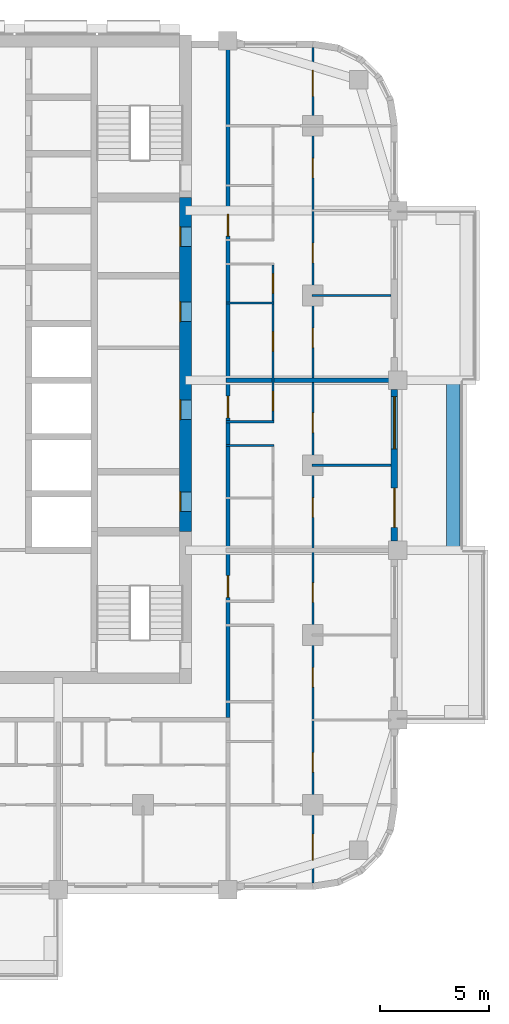
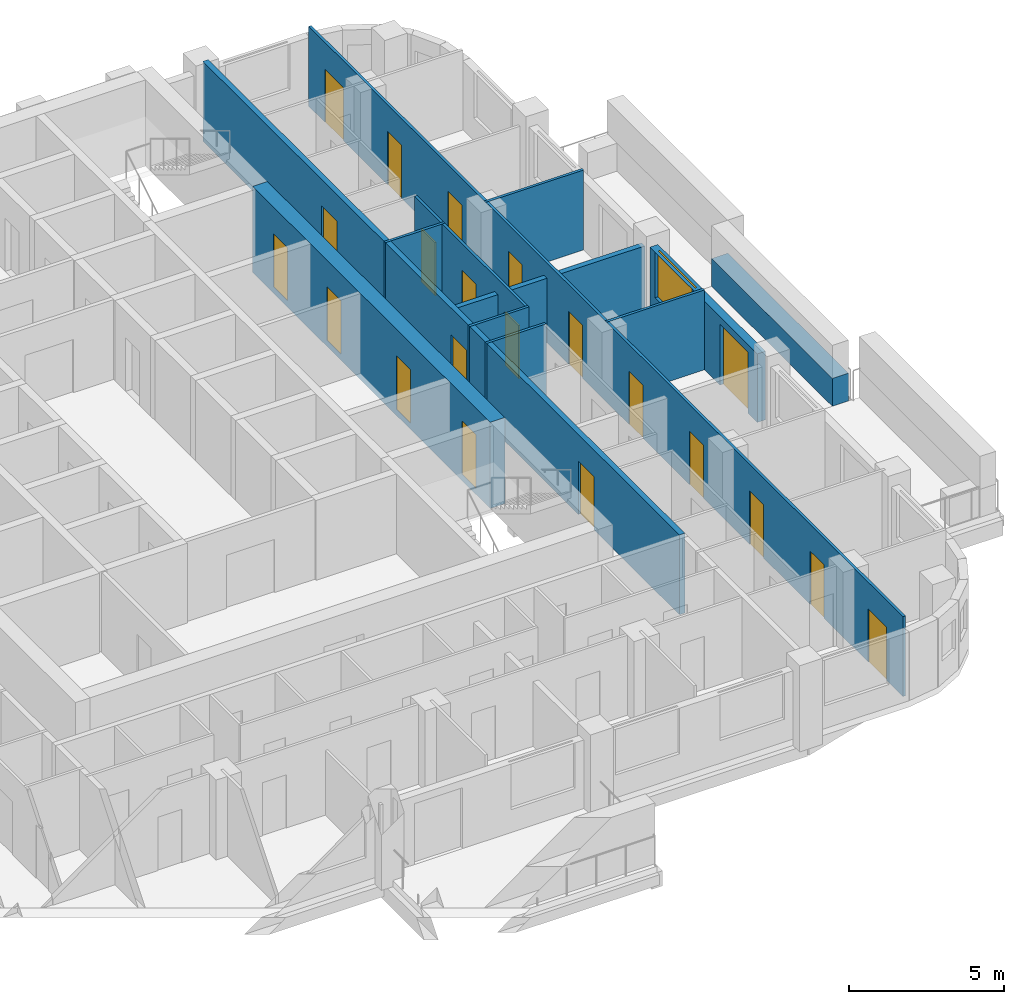
# One storey, part 7 of 14: 21 doors, 12 walls, 1 window, 22 openings.
"""IFC4 building model written with IfcOpenShell, lengths in metres."""

from ifc_helpers import new_model, si_unit, direction, frame, frame_2d, origin, place, context, subcontext, project, spatial, rectangle, extrude, material, layer, layer_set, type_object, element, fill, save


model = new_model("IFC4")

# Units and contexts
model_context = context("Model", 3, precision=1e-05, world=origin(), true_north=direction((0.0, 1.0)))
body_context = subcontext(model_context, "Body", "Model", "MODEL_VIEW")
ifc_project = project(units=[si_unit("LENGTHUNIT", "METRE"), si_unit("AREAUNIT", "SQUARE_METRE"), si_unit("VOLUMEUNIT", "CUBIC_METRE"), si_unit("PLANEANGLEUNIT", "RADIAN"), si_unit("MASSUNIT", "GRAM", prefix="KILO")], contexts=[model_context])

# Site, building, storey
site_placement = place(None, origin())
site = spatial("IfcSite", under=ifc_project, at=site_placement, CompositionType="ELEMENT")
building_placement = place(site_placement, origin())
building = spatial("IfcBuilding", under=site, at=building_placement, Name="Ludao Terraces", CompositionType="ELEMENT")
storey_placement = place(building_placement, frame((0.0, 0.0, 106.699951171875)))
storey = spatial("IfcBuildingStorey", under=building, at=storey_placement, Name="L29", CompositionType="ELEMENT", Elevation=106.699951171875)

# Wall, openings, doors
ifc_material_1 = material(Name="Concrete C60", Category="concrete")
ifc_layer_1 = layer(ifc_material_1, 0.550048828125)
ifc_layer_set_1 = layer_set([ifc_layer_1], Name="Core wall 550 C60")
wall_type_1 = type_object("IfcWallType", Name="Core wall 550 C60", PredefinedType="SOLIDWALL", material=ifc_layer_set_1)
wall_1_placement = place(storey_placement, frame((94.75, 61.949951171875, -0.25), z_axis=(0.0, 0.0, 1.0), x_axis=(0.0, 1.0, 0.0)))
wall_1 = element("IfcWall", 1, at=wall_1_placement, inside=storey, type_object=wall_type_1, Name="Core wall L29 outer-E", PredefinedType="SOLIDWALL", context=body_context, shape_type="SweptSolid", body=[
    extrude(rectangle(XDim=15.35009765625, YDim=0.550048828125, at=frame_2d((7.675048828125, 0.0))), origin(), (0.0, 0.0, 1.0), 3.400146484375),
])
opening_1_placement = place(wall_1_placement, frame((0.925048828125, 0.0, 0.25)))
opening_1 = element("IfcOpeningElement", 2, at=opening_1_placement, cuts=wall_1, Name="Opening R08-049", PredefinedType="OPENING", context=body_context, shape_type="SweptSolid", body=[
    extrude(rectangle(XDim=0.89990234375, YDim=2.10009765625, at=frame_2d((0.449951171875, 1.050048828125))), frame((0.0, 0.28515625, 0.0), z_axis=(0.0, -1.0, 0.0), x_axis=(1.0, 0.0, 0.0)), (0.0, 0.0, 1.0), 0.570068359375),
])
opening_2_placement = place(wall_1_placement, frame((5.14990234375, 0.0, 0.25)))
opening_2 = element("IfcOpeningElement", 3, at=opening_2_placement, cuts=wall_1, Name="Opening R08-057", PredefinedType="OPENING", context=body_context, shape_type="SweptSolid", body=[
    extrude(rectangle(XDim=0.89990234375, YDim=2.10009765625, at=frame_2d((0.449951171875, 1.050048828125))), frame((0.0, 0.28515625, 0.0), z_axis=(0.0, -1.0, 0.0), x_axis=(1.0, 0.0, 0.0)), (0.0, 0.0, 1.0), 0.570068359375),
])
opening_3_placement = place(wall_1_placement, frame((9.64990234375, 0.0, 0.25)))
opening_3 = element("IfcOpeningElement", 4, at=opening_3_placement, cuts=wall_1, Name="Opening R08-067", PredefinedType="OPENING", context=body_context, shape_type="SweptSolid", body=[
    extrude(rectangle(XDim=0.89990234375, YDim=2.10009765625, at=frame_2d((0.449951171875, 1.050048828125))), frame((0.0, 0.28515625, 0.0), z_axis=(0.0, -1.0, 0.0), x_axis=(1.0, 0.0, 0.0)), (0.0, 0.0, 1.0), 0.570068359375),
])
opening_4_placement = place(wall_1_placement, frame((13.10009765625, 0.0, 0.25)))
opening_4 = element("IfcOpeningElement", 5, at=opening_4_placement, cuts=wall_1, Name="Opening R08-081", PredefinedType="OPENING", context=body_context, shape_type="SweptSolid", body=[
    extrude(rectangle(XDim=0.89990234375, YDim=2.10009765625, at=frame_2d((0.449951171875, 1.050048828125))), frame((0.0, 0.28515625, 0.0), z_axis=(0.0, -1.0, 0.0), x_axis=(1.0, 0.0, 0.0)), (0.0, 0.0, 1.0), 0.570068359375),
])
ifc_material_2 = material(Name="Steel Q235", Category="steel")
door_type_1 = type_object("IfcDoorType", Name="INT Riser door 900", OperationType="SINGLE_SWING_LEFT", PredefinedType="DOOR", material=ifc_material_2)
door_1_placement = place(opening_1_placement, origin())
door_1 = element("IfcDoor", 6, at=door_1_placement, inside=storey, type_object=door_type_1, Name="DOOR 049", OperationType="SINGLE_SWING_LEFT", OverallHeight=2.10009765625, OverallWidth=0.89990234375, PredefinedType="DOOR", context=body_context, shape_type="SweptSolid", body=[
    extrude(rectangle(XDim=0.89990234375, YDim=2.10009765625, at=frame_2d((0.449951171875, 1.050048828125))), frame((0.0, 0.26025390625, 0.0), z_axis=(0.0, -1.0, 0.0), x_axis=(1.0, 0.0, 0.0)), (0.0, 0.0, 1.0), 0.050048828125),
])
fill(opening_1, door_1)
door_2_placement = place(opening_4_placement, origin())
door_2 = element("IfcDoor", 7, at=door_2_placement, inside=storey, type_object=door_type_1, Name="DOOR 081", OperationType="SINGLE_SWING_RIGHT", OverallHeight=2.10009765625, OverallWidth=0.89990234375, PredefinedType="DOOR", context=body_context, shape_type="SweptSolid", body=[
    extrude(rectangle(XDim=0.89990234375, YDim=2.10009765625, at=frame_2d((0.449951171875, 1.050048828125))), frame((0.0, 0.26025390625, 0.0), z_axis=(0.0, -1.0, 0.0), x_axis=(1.0, 0.0, 0.0)), (0.0, 0.0, 1.0), 0.050048828125),
])
fill(opening_4, door_2)
ifc_material_3 = material(Name="Timber door leaf", Category="wood")
door_type_2 = type_object("IfcDoorType", Name="INT Room door 900", OperationType="SINGLE_SWING_LEFT", PredefinedType="DOOR", material=ifc_material_3)
door_3_placement = place(opening_2_placement, origin())
door_3 = element("IfcDoor", 8, at=door_3_placement, inside=storey, type_object=door_type_2, Name="DOOR 057", OperationType="SINGLE_SWING_LEFT", OverallHeight=2.10009765625, OverallWidth=0.89990234375, PredefinedType="DOOR", context=body_context, shape_type="SweptSolid", body=[
    extrude(rectangle(XDim=0.89990234375, YDim=2.10009765625, at=frame_2d((0.449951171875, 1.050048828125))), frame((0.0, 0.26025390625, 0.0), z_axis=(0.0, -1.0, 0.0), x_axis=(1.0, 0.0, 0.0)), (0.0, 0.0, 1.0), 0.050048828125),
])
fill(opening_2, door_3)
door_4_placement = place(opening_3_placement, origin())
door_4 = element("IfcDoor", 9, at=door_4_placement, inside=storey, type_object=door_type_2, Name="DOOR 067", OperationType="SINGLE_SWING_RIGHT", OverallHeight=2.10009765625, OverallWidth=0.89990234375, PredefinedType="DOOR", context=body_context, shape_type="SweptSolid", body=[
    extrude(rectangle(XDim=0.89990234375, YDim=2.10009765625, at=frame_2d((0.449951171875, 1.050048828125))), frame((0.0, 0.26025390625, 0.0), z_axis=(0.0, -1.0, 0.0), x_axis=(1.0, 0.0, 0.0)), (0.0, 0.0, 1.0), 0.050048828125),
])
fill(opening_3, door_4)

# Wall
ifc_material_4 = material(Name="Concrete C40", Category="concrete")
ifc_layer_2 = layer(ifc_material_4, 0.60009765625)
ifc_layer_set_2 = layer_set([ifc_layer_2], Name="ENV Planter trough 600")
wall_type_2 = type_object("IfcWallType", Name="ENV Planter trough 600", PredefinedType="USERDEFINED", material=ifc_layer_set_2)
wall_2_placement = place(storey_placement, frame((107.050048828125, 61.10009765625, 0.0), z_axis=(0.0, 0.0, 1.0), x_axis=(0.0, 1.0, 0.0)))
element("IfcWall", 10, at=wall_2_placement, inside=storey, type_object=wall_type_2, Name="PL-L29-E2", ObjectType="PLANTER", PredefinedType="USERDEFINED", context=body_context, shape_type="SweptSolid", body=[
    extrude(rectangle(XDim=7.7998046875, YDim=0.60009765625, at=frame_2d((3.89990234375, 0.0))), origin(), (0.0, 0.0, 1.0), 1.10009765625),
])

# Wall, openings, door, window
ifc_material_5 = material(Name="Granite cladding", Category="masonry")
ifc_layer_3 = layer(ifc_material_5, 0.0400390625, Category="stone")
ifc_material_6 = material(Name="Mineral wool")
ifc_layer_4 = layer(ifc_material_6, 0.06005859375)
ifc_layer_5 = layer(ifc_material_4, 0.199951171875, Category="concrete")
ifc_layer_set_3 = layer_set([ifc_layer_3, ifc_layer_4, ifc_layer_5], Name="ENV Stone-clad wall 300")
wall_type_3 = type_object("IfcWallType", Name="ENV Stone-clad wall 300", PredefinedType="SOLIDWALL", material=ifc_layer_set_3)
wall_3_placement = place(storey_placement, frame((104.35009765625, 61.52490234375, 0.0), z_axis=(0.0, 0.0, 1.0), x_axis=(0.0, 1.0, 0.0)))
wall_3 = element("IfcWall", 11, at=wall_3_placement, inside=storey, type_object=wall_type_3, Name="EW-L29-E3", PredefinedType="SOLIDWALL", context=body_context, shape_type="SweptSolid", body=[
    extrude(rectangle(XDim=6.9501953125, YDim=0.300048828125, at=frame_2d((3.47509765625, 0.0))), origin(), (0.0, 0.0, 1.0), 2.699951171875),
])
opening_5_placement = place(wall_3_placement, frame((0.625, 0.0, 0.0)))
opening_5 = element("IfcOpeningElement", 12, at=opening_5_placement, cuts=wall_3, Name="Opening BD", PredefinedType="OPENING", context=body_context, shape_type="SweptSolid", body=[
    extrude(rectangle(XDim=1.800048828125, YDim=2.39990234375, at=frame_2d((0.89990234375, 1.199951171875))), frame((0.0, 0.16015625, 0.0), z_axis=(0.0, -1.0, 0.0), x_axis=(1.0, 0.0, 0.0)), (0.0, 0.0, 1.0), 0.320068359375),
])
opening_6_placement = place(wall_3_placement, frame((4.22509765625, 0.0, 0.89990234375)))
opening_6 = element("IfcOpeningElement", 13, at=opening_6_placement, cuts=wall_3, Name="Opening W1", PredefinedType="OPENING", context=body_context, shape_type="SweptSolid", body=[
    extrude(rectangle(XDim=2.39990234375, YDim=1.800048828125, at=frame_2d((1.199951171875, 0.89990234375))), frame((0.0, 0.16015625, 0.0), z_axis=(0.0, -1.0, 0.0), x_axis=(1.0, 0.0, 0.0)), (0.0, 0.0, 1.0), 0.320068359375),
])
ifc_material_7 = material(Name="Aluminium glazed door", Category="aluminium")
ifc_layer_6 = layer(ifc_material_7, 0.06005859375)
ifc_layer_set_4 = layer_set([ifc_layer_6], Name="ENV Balcony door BD 1800x2400")
door_type_3 = type_object("IfcDoorType", Name="ENV Balcony door BD 1800x2400", OperationType="DOUBLE_DOOR_SINGLE_SWING", PredefinedType="DOOR", material=ifc_layer_set_4)
door_5_placement = place(opening_5_placement, origin())
door_5 = element("IfcDoor", 14, at=door_5_placement, inside=storey, type_object=door_type_3, Name="BD-L29-E3-1", OperationType="DOUBLE_DOOR_SINGLE_SWING", OverallHeight=2.39990234375, OverallWidth=1.800048828125, PredefinedType="DOOR", context=body_context, shape_type="SweptSolid", body=[
    extrude(rectangle(XDim=1.800048828125, YDim=2.39990234375, at=frame_2d((0.89990234375, 1.199951171875))), frame((0.0, 0.02490234375, 0.0), z_axis=(0.0, -1.0, 0.0), x_axis=(1.0, 0.0, 0.0)), (0.0, 0.0, 1.0), 0.050048828125),
])
fill(opening_5, door_5)
ifc_material_8 = material(Name="Clear glass in aluminium frame", Category="aluminium")
ifc_layer_7 = layer(ifc_material_8, 0.06005859375)
ifc_layer_set_5 = layer_set([ifc_layer_7], Name="ENV Window W1 2400x1800")
window_type = type_object("IfcWindowType", Name="ENV Window W1 2400x1800", PartitioningType="DOUBLE_PANEL_VERTICAL", PredefinedType="WINDOW", material=ifc_layer_set_5)
window_placement = place(opening_6_placement, origin())
window = element("IfcWindow", 15, at=window_placement, inside=storey, type_object=window_type, Name="W-L29-E3-2", OverallHeight=1.800048828125, OverallWidth=2.39990234375, PartitioningType="DOUBLE_PANEL_VERTICAL", PredefinedType="WINDOW", context=body_context, shape_type="SweptSolid", body=[
    extrude(rectangle(XDim=2.39990234375, YDim=1.800048828125, at=frame_2d((1.199951171875, 0.89990234375))), frame((0.0, 0.030029296875, 0.0), z_axis=(0.0, -1.0, 0.0), x_axis=(1.0, 0.0, 0.0)), (0.0, 0.0, 1.0), 0.06005859375),
])
fill(opening_6, window)

# Wall, openings, doors
ifc_material_9 = material(Name="Autoclaved aerated concrete block B06 A3.5", Category="concrete")
ifc_layer_8 = layer(ifc_material_9, 0.199951171875)
ifc_layer_set_6 = layer_set([ifc_layer_8], Name="INT Entrance wall 200")
wall_type_4 = type_object("IfcWallType", Name="INT Entrance wall 200", PredefinedType="PARTITIONING", material=ifc_layer_set_6)
wall_4_placement = place(storey_placement, frame((96.699951171875, 53.400146484375, 0.0), z_axis=(0.0, 0.0, 1.0), x_axis=(0.0, 1.0, 0.0)))
wall_4 = element("IfcWall", 16, at=wall_4_placement, inside=storey, type_object=wall_type_4, Name="PW-L29-PW072", PredefinedType="PARTITIONING", context=body_context, shape_type="SweptSolid", body=[
    extrude(rectangle(XDim=30.800048828125, YDim=0.199951171875, at=frame_2d((15.39990234375, 0.0))), origin(), (0.0, 0.0, 1.0), 3.150146484375),
])
opening_7_placement = place(wall_4_placement, frame((5.52490234375, 0.0, 0.0)))
opening_7 = element("IfcOpeningElement", 17, at=opening_7_placement, cuts=wall_4, Name="Opening R08-039", PredefinedType="OPENING", context=body_context, shape_type="SweptSolid", body=[
    extrude(rectangle(XDim=1.0, YDim=2.10009765625, at=frame_2d((0.5, 1.050048828125))), frame((0.0, 0.10986328125, 0.0), z_axis=(0.0, -1.0, 0.0), x_axis=(1.0, 0.0, 0.0)), (0.0, 0.0, 1.0), 0.219970703125),
])
opening_8_placement = place(wall_4_placement, frame((13.77490234375, 0.0, 0.0)))
opening_8 = element("IfcOpeningElement", 18, at=opening_8_placement, cuts=wall_4, Name="Opening R08-059", PredefinedType="OPENING", context=body_context, shape_type="SweptSolid", body=[
    extrude(rectangle(XDim=1.0, YDim=2.10009765625, at=frame_2d((0.5, 1.050048828125))), frame((0.0, 0.10986328125, 0.0), z_axis=(0.0, -1.0, 0.0), x_axis=(1.0, 0.0, 0.0)), (0.0, 0.0, 1.0), 0.219970703125),
])
opening_9_placement = place(wall_4_placement, frame((22.125, 0.0, 0.0)))
opening_9 = element("IfcOpeningElement", 19, at=opening_9_placement, cuts=wall_4, Name="Opening R08-082", PredefinedType="OPENING", context=body_context, shape_type="SweptSolid", body=[
    extrude(rectangle(XDim=1.0, YDim=2.10009765625, at=frame_2d((0.5, 1.050048828125))), frame((0.0, 0.10986328125, 0.0), z_axis=(0.0, -1.0, 0.0), x_axis=(1.0, 0.0, 0.0)), (0.0, 0.0, 1.0), 0.219970703125),
])
door_type_4 = type_object("IfcDoorType", Name="INT Flat entrance door 1000", OperationType="SINGLE_SWING_LEFT", PredefinedType="DOOR", material=ifc_material_2)
door_6_placement = place(opening_7_placement, origin())
door_6 = element("IfcDoor", 20, at=door_6_placement, inside=storey, type_object=door_type_4, Name="DOOR 039", OperationType="SINGLE_SWING_LEFT", OverallHeight=2.10009765625, OverallWidth=1.0, PredefinedType="DOOR", context=body_context, shape_type="SweptSolid", body=[
    extrude(rectangle(XDim=1.0, YDim=2.10009765625, at=frame_2d((0.5, 1.050048828125))), frame((0.0, 0.02490234375, 0.0), z_axis=(0.0, -1.0, 0.0), x_axis=(1.0, 0.0, 0.0)), (0.0, 0.0, 1.0), 0.050048828125),
])
fill(opening_7, door_6)
door_7_placement = place(opening_8_placement, origin())
door_7 = element("IfcDoor", 21, at=door_7_placement, inside=storey, type_object=door_type_4, Name="DOOR 059", OperationType="SINGLE_SWING_LEFT", OverallHeight=2.10009765625, OverallWidth=1.0, PredefinedType="DOOR", context=body_context, shape_type="SweptSolid", body=[
    extrude(rectangle(XDim=1.0, YDim=2.10009765625, at=frame_2d((0.5, 1.050048828125))), frame((0.0, 0.02490234375, 0.0), z_axis=(0.0, -1.0, 0.0), x_axis=(1.0, 0.0, 0.0)), (0.0, 0.0, 1.0), 0.050048828125),
])
fill(opening_8, door_7)
door_8_placement = place(opening_9_placement, origin())
door_8 = element("IfcDoor", 22, at=door_8_placement, inside=storey, type_object=door_type_4, Name="DOOR 082", OperationType="SINGLE_SWING_LEFT", OverallHeight=2.10009765625, OverallWidth=1.0, PredefinedType="DOOR", context=body_context, shape_type="SweptSolid", body=[
    extrude(rectangle(XDim=1.0, YDim=2.10009765625, at=frame_2d((0.5, 1.050048828125))), frame((0.0, 0.02490234375, 0.0), z_axis=(0.0, -1.0, 0.0), x_axis=(1.0, 0.0, 0.0)), (0.0, 0.0, 1.0), 0.050048828125),
])
fill(opening_9, door_8)

# Walls
ifc_material_10 = material(Name="Gypsum plasterboard", Category="gypsum")
ifc_layer_9 = layer(ifc_material_10, 0.012451171875, Category="gypsum")
ifc_layer_10 = layer(ifc_material_6, 0.06005859375, Name="insulation")
ifc_layer_11 = layer(ifc_material_2, 0.014892578125, Name="stud")
ifc_layer_12 = layer(ifc_material_10, 0.012451171875, Category="gypsum")
ifc_layer_set_7 = layer_set([ifc_layer_9, ifc_layer_10, ifc_layer_11, ifc_layer_12], Name="INT Partition 100")
wall_type_5 = type_object("IfcWallType", Name="INT Partition 100", PredefinedType="PARTITIONING", material=ifc_layer_set_7)
wall_5_placement = place(storey_placement, frame((100.550048828125, 65.0, 0.0), z_axis=(0.0, 0.0, 1.0), x_axis=(1.0, 0.0, 0.0)))
element("IfcWall", 23, at=wall_5_placement, inside=storey, type_object=wall_type_5, Name="PW-L29-PW024", PredefinedType="PARTITIONING", context=body_context, shape_type="SweptSolid", body=[
    extrude(rectangle(XDim=3.650146484375, YDim=0.10009765625, at=frame_2d((1.8251953125, 0.0))), origin(), (0.0, 0.0, 1.0), 3.150146484375),
])
for number, where, z_axis, x_axis, name in (
    (24, (96.60009765625, 65.89990234375, 0.0), (0.0, 0.0, 1.0), (1.0, 0.0, 0.0), "PW-L29-PW025"),
    (25, (96.60009765625, 67.0, 0.0), (0.0, 0.0, 1.0), (1.0, 0.0, 0.0), "PW-L29-PW026"),
    (26, (96.60009765625, 72.449951171875, 0.0), (0.0, 0.0, 1.0), (1.0, 0.0, 0.0), "PW-L29-PW035"),
):
    element("IfcWall", number, at=place(storey_placement, frame(where, z_axis=z_axis, x_axis=x_axis)), inside=storey, type_object=wall_type_5, Name=name, PredefinedType="PARTITIONING", context=body_context, shape_type="SweptSolid", body=[
        extrude(rectangle(XDim=2.219970703125, YDim=0.10009765625, at=frame_2d((1.10986328125, 0.0))), origin(), (0.0, 0.0, 1.0), 3.150146484375),
    ])
wall_6_placement = place(storey_placement, frame((100.550048828125, 72.800048828125, 0.0), z_axis=(0.0, 0.0, 1.0), x_axis=(1.0, 0.0, 0.0)))
element("IfcWall", 27, at=wall_6_placement, inside=storey, type_object=wall_type_5, Name="PW-L29-PW037", PredefinedType="PARTITIONING", context=body_context, shape_type="SweptSolid", body=[
    extrude(rectangle(XDim=3.650146484375, YDim=0.10009765625, at=frame_2d((1.8251953125, 0.0))), origin(), (0.0, 0.0, 1.0), 3.150146484375),
])

# Wall, openings, doors
wall_7_placement = place(storey_placement, frame((98.77001953125, 67.050048828125, 0.0), z_axis=(0.0, 0.0, 1.0), x_axis=(0.0, 1.0, 0.0)))
wall_7 = element("IfcWall", 28, at=wall_7_placement, inside=storey, type_object=wall_type_5, Name="PW-L29-PW075", PredefinedType="PARTITIONING", context=body_context, shape_type="SweptSolid", body=[
    extrude(rectangle(XDim=7.150146484375, YDim=0.10009765625, at=frame_2d((3.5751953125, 0.0))), origin(), (0.0, 0.0, 1.0), 3.150146484375),
])
opening_10_placement = place(wall_7_placement, frame((0.449951171875, 0.0, 0.0)))
opening_10 = element("IfcOpeningElement", 29, at=opening_10_placement, cuts=wall_7, Name="Opening R08-060", PredefinedType="OPENING", context=body_context, shape_type="SweptSolid", body=[
    extrude(rectangle(XDim=0.89990234375, YDim=2.10009765625, at=frame_2d((0.449951171875, 1.050048828125))), frame((0.0, 0.06005859375, 0.0), z_axis=(0.0, -1.0, 0.0), x_axis=(1.0, 0.0, 0.0)), (0.0, 0.0, 1.0), 0.1201171875),
])
opening_11_placement = place(wall_7_placement, frame((3.175048828125, 0.0, 0.0)))
opening_11 = element("IfcOpeningElement", 30, at=opening_11_placement, cuts=wall_7, Name="Opening R08-064", PredefinedType="OPENING", context=body_context, shape_type="SweptSolid", body=[
    extrude(rectangle(XDim=0.89990234375, YDim=2.10009765625, at=frame_2d((0.449951171875, 1.050048828125))), frame((0.0, 0.06005859375, 0.0), z_axis=(0.0, -1.0, 0.0), x_axis=(1.0, 0.0, 0.0)), (0.0, 0.0, 1.0), 0.1201171875),
])
opening_12_placement = place(wall_7_placement, frame((5.85009765625, 0.0, 0.0)))
opening_12 = element("IfcOpeningElement", 31, at=opening_12_placement, cuts=wall_7, Name="Opening R08-073", PredefinedType="OPENING", context=body_context, shape_type="SweptSolid", body=[
    extrude(rectangle(XDim=0.89990234375, YDim=2.10009765625, at=frame_2d((0.449951171875, 1.050048828125))), frame((0.0, 0.06005859375, 0.0), z_axis=(0.0, -1.0, 0.0), x_axis=(1.0, 0.0, 0.0)), (0.0, 0.0, 1.0), 0.1201171875),
])
door_type_5 = type_object("IfcDoorType", Name="INT Bathroom door 900", OperationType="SINGLE_SWING_LEFT", PredefinedType="DOOR", material=ifc_material_3)
door_9_placement = place(opening_12_placement, origin())
door_9 = element("IfcDoor", 32, at=door_9_placement, inside=storey, type_object=door_type_5, Name="DOOR 073", OperationType="SINGLE_SWING_RIGHT", OverallHeight=2.10009765625, OverallWidth=0.89990234375, PredefinedType="DOOR", context=body_context, shape_type="SweptSolid", body=[
    extrude(rectangle(XDim=0.89990234375, YDim=2.10009765625, at=frame_2d((0.449951171875, 1.050048828125))), frame((0.0, 0.02490234375, 0.0), z_axis=(0.0, -1.0, 0.0), x_axis=(1.0, 0.0, 0.0)), (0.0, 0.0, 1.0), 0.050048828125),
])
fill(opening_12, door_9)
door_10_placement = place(opening_10_placement, origin())
door_10 = element("IfcDoor", 33, at=door_10_placement, inside=storey, type_object=door_type_2, Name="DOOR 060", OperationType="SINGLE_SWING_RIGHT", OverallHeight=2.10009765625, OverallWidth=0.89990234375, PredefinedType="DOOR", context=body_context, shape_type="SweptSolid", body=[
    extrude(rectangle(XDim=0.89990234375, YDim=2.10009765625, at=frame_2d((0.449951171875, 1.050048828125))), frame((0.0, 0.02490234375, 0.0), z_axis=(0.0, -1.0, 0.0), x_axis=(1.0, 0.0, 0.0)), (0.0, 0.0, 1.0), 0.050048828125),
])
fill(opening_10, door_10)
door_11_placement = place(opening_11_placement, origin())
door_11 = element("IfcDoor", 34, at=door_11_placement, inside=storey, type_object=door_type_2, Name="DOOR 064", OperationType="SINGLE_SWING_LEFT", OverallHeight=2.10009765625, OverallWidth=0.89990234375, PredefinedType="DOOR", context=body_context, shape_type="SweptSolid", body=[
    extrude(rectangle(XDim=0.89990234375, YDim=2.10009765625, at=frame_2d((0.449951171875, 1.050048828125))), frame((0.0, 0.02490234375, 0.0), z_axis=(0.0, -1.0, 0.0), x_axis=(1.0, 0.0, 0.0)), (0.0, 0.0, 1.0), 0.050048828125),
])
fill(opening_11, door_11)

wall_8_placement = place(storey_placement, frame((100.60009765625, 45.800048828125, 0.0), z_axis=(0.0, 0.0, 1.0), x_axis=(0.0, 1.0, 0.0)))
wall_8 = element("IfcWall", 35, at=wall_8_placement, inside=storey, type_object=wall_type_5, Name="PW-L29-PW077", PredefinedType="PARTITIONING", context=body_context, shape_type="SweptSolid", body=[
    extrude(rectangle(XDim=38.400146484375, YDim=0.10009765625, at=frame_2d((19.2001953125, 0.0))), origin(), (0.0, 0.0, 1.0), 3.150146484375),
])
opening_13_placement = place(wall_8_placement, frame((1.050048828125, 0.0, 0.0)))
opening_13 = element("IfcOpeningElement", 36, at=opening_13_placement, cuts=wall_8, Name="Opening R08-002", PredefinedType="OPENING", context=body_context, shape_type="SweptSolid", body=[
    extrude(rectangle(XDim=1.199951171875, YDim=2.10009765625, at=frame_2d((0.60009765625, 1.050048828125))), frame((0.0, 0.06005859375, 0.0), z_axis=(0.0, -1.0, 0.0), x_axis=(1.0, 0.0, 0.0)), (0.0, 0.0, 1.0), 0.1201171875),
])
opening_14_placement = place(wall_8_placement, frame((5.10009765625, 0.0, 0.0)))
opening_14 = element("IfcOpeningElement", 37, at=opening_14_placement, cuts=wall_8, Name="Opening R08-023", PredefinedType="OPENING", context=body_context, shape_type="SweptSolid", body=[
    extrude(rectangle(XDim=0.89990234375, YDim=2.10009765625, at=frame_2d((0.449951171875, 1.050048828125))), frame((0.0, 0.06005859375, 0.0), z_axis=(0.0, -1.0, 0.0), x_axis=(1.0, 0.0, 0.0)), (0.0, 0.0, 1.0), 0.1201171875),
])
opening_15_placement = place(wall_8_placement, frame((9.0, 0.0, 0.0)))
opening_15 = element("IfcOpeningElement", 38, at=opening_15_placement, cuts=wall_8, Name="Opening R08-030", PredefinedType="OPENING", context=body_context, shape_type="SweptSolid", body=[
    extrude(rectangle(XDim=0.89990234375, YDim=2.10009765625, at=frame_2d((0.449951171875, 1.050048828125))), frame((0.0, 0.06005859375, 0.0), z_axis=(0.0, -1.0, 0.0), x_axis=(1.0, 0.0, 0.0)), (0.0, 0.0, 1.0), 0.1201171875),
])
opening_16_placement = place(wall_8_placement, frame((12.89990234375, 0.0, 0.0)))
opening_16 = element("IfcOpeningElement", 39, at=opening_16_placement, cuts=wall_8, Name="Opening R08-038", PredefinedType="OPENING", context=body_context, shape_type="SweptSolid", body=[
    extrude(rectangle(XDim=0.89990234375, YDim=2.10009765625, at=frame_2d((0.449951171875, 1.050048828125))), frame((0.0, 0.06005859375, 0.0), z_axis=(0.0, -1.0, 0.0), x_axis=(1.0, 0.0, 0.0)), (0.0, 0.0, 1.0), 0.1201171875),
])
opening_17_placement = place(wall_8_placement, frame((16.800048828125, 0.0, 0.0)))
opening_17 = element("IfcOpeningElement", 40, at=opening_17_placement, cuts=wall_8, Name="Opening R08-048", PredefinedType="OPENING", context=body_context, shape_type="SweptSolid", body=[
    extrude(rectangle(XDim=0.89990234375, YDim=2.10009765625, at=frame_2d((0.449951171875, 1.050048828125))), frame((0.0, 0.06005859375, 0.0), z_axis=(0.0, -1.0, 0.0), x_axis=(1.0, 0.0, 0.0)), (0.0, 0.0, 1.0), 0.1201171875),
])
opening_18_placement = place(wall_8_placement, frame((20.699951171875, 0.0, 0.0)))
opening_18 = element("IfcOpeningElement", 41, at=opening_18_placement, cuts=wall_8, Name="Opening R08-056", PredefinedType="OPENING", context=body_context, shape_type="SweptSolid", body=[
    extrude(rectangle(XDim=0.89990234375, YDim=2.10009765625, at=frame_2d((0.449951171875, 1.050048828125))), frame((0.0, 0.06005859375, 0.0), z_axis=(0.0, -1.0, 0.0), x_axis=(1.0, 0.0, 0.0)), (0.0, 0.0, 1.0), 0.1201171875),
])
opening_19_placement = place(wall_8_placement, frame((24.60009765625, 0.0, 0.0)))
opening_19 = element("IfcOpeningElement", 42, at=opening_19_placement, cuts=wall_8, Name="Opening R08-066", PredefinedType="OPENING", context=body_context, shape_type="SweptSolid", body=[
    extrude(rectangle(XDim=0.89990234375, YDim=2.10009765625, at=frame_2d((0.449951171875, 1.050048828125))), frame((0.0, 0.06005859375, 0.0), z_axis=(0.0, -1.0, 0.0), x_axis=(1.0, 0.0, 0.0)), (0.0, 0.0, 1.0), 0.1201171875),
])
opening_20_placement = place(wall_8_placement, frame((28.5, 0.0, 0.0)))
opening_20 = element("IfcOpeningElement", 43, at=opening_20_placement, cuts=wall_8, Name="Opening R08-076", PredefinedType="OPENING", context=body_context, shape_type="SweptSolid", body=[
    extrude(rectangle(XDim=0.89990234375, YDim=2.10009765625, at=frame_2d((0.449951171875, 1.050048828125))), frame((0.0, 0.06005859375, 0.0), z_axis=(0.0, -1.0, 0.0), x_axis=(1.0, 0.0, 0.0)), (0.0, 0.0, 1.0), 0.1201171875),
])
opening_21_placement = place(wall_8_placement, frame((32.39990234375, 0.0, 0.0)))
opening_21 = element("IfcOpeningElement", 44, at=opening_21_placement, cuts=wall_8, Name="Opening R08-091", PredefinedType="OPENING", context=body_context, shape_type="SweptSolid", body=[
    extrude(rectangle(XDim=0.89990234375, YDim=2.10009765625, at=frame_2d((0.449951171875, 1.050048828125))), frame((0.0, 0.06005859375, 0.0), z_axis=(0.0, -1.0, 0.0), x_axis=(1.0, 0.0, 0.0)), (0.0, 0.0, 1.0), 0.1201171875),
])
opening_22_placement = place(wall_8_placement, frame((36.14990234375, 0.0, 0.0)))
opening_22 = element("IfcOpeningElement", 45, at=opening_22_placement, cuts=wall_8, Name="Opening R08-099", PredefinedType="OPENING", context=body_context, shape_type="SweptSolid", body=[
    extrude(rectangle(XDim=1.199951171875, YDim=2.10009765625, at=frame_2d((0.60009765625, 1.050048828125))), frame((0.0, 0.06005859375, 0.0), z_axis=(0.0, -1.0, 0.0), x_axis=(1.0, 0.0, 0.0)), (0.0, 0.0, 1.0), 0.1201171875),
])
door_type_6 = type_object("IfcDoorType", Name="INT Double door 1200", OperationType="DOUBLE_DOOR_SINGLE_SWING", PredefinedType="DOOR", material=ifc_material_3)
door_12_placement = place(opening_13_placement, origin())
door_12 = element("IfcDoor", 46, at=door_12_placement, inside=storey, type_object=door_type_6, Name="DOOR 002", OperationType="DOUBLE_DOOR_SINGLE_SWING", OverallHeight=2.10009765625, OverallWidth=1.199951171875, PredefinedType="DOOR", context=body_context, shape_type="SweptSolid", body=[
    extrude(rectangle(XDim=1.199951171875, YDim=2.10009765625, at=frame_2d((0.60009765625, 1.050048828125))), frame((0.0, 0.02490234375, 0.0), z_axis=(0.0, -1.0, 0.0), x_axis=(1.0, 0.0, 0.0)), (0.0, 0.0, 1.0), 0.050048828125),
])
fill(opening_13, door_12)
door_13_placement = place(opening_22_placement, origin())
door_13 = element("IfcDoor", 47, at=door_13_placement, inside=storey, type_object=door_type_6, Name="DOOR 099", OperationType="DOUBLE_DOOR_SINGLE_SWING", OverallHeight=2.10009765625, OverallWidth=1.199951171875, PredefinedType="DOOR", context=body_context, shape_type="SweptSolid", body=[
    extrude(rectangle(XDim=1.199951171875, YDim=2.10009765625, at=frame_2d((0.60009765625, 1.050048828125))), frame((0.0, 0.02490234375, 0.0), z_axis=(0.0, -1.0, 0.0), x_axis=(1.0, 0.0, 0.0)), (0.0, 0.0, 1.0), 0.050048828125),
])
fill(opening_22, door_13)
door_14_placement = place(opening_14_placement, origin())
door_14 = element("IfcDoor", 48, at=door_14_placement, inside=storey, type_object=door_type_2, Name="DOOR 023", OperationType="SINGLE_SWING_LEFT", OverallHeight=2.10009765625, OverallWidth=0.89990234375, PredefinedType="DOOR", context=body_context, shape_type="SweptSolid", body=[
    extrude(rectangle(XDim=0.89990234375, YDim=2.10009765625, at=frame_2d((0.449951171875, 1.050048828125))), frame((0.0, 0.02490234375, 0.0), z_axis=(0.0, -1.0, 0.0), x_axis=(1.0, 0.0, 0.0)), (0.0, 0.0, 1.0), 0.050048828125),
])
fill(opening_14, door_14)
door_15_placement = place(opening_15_placement, origin())
door_15 = element("IfcDoor", 49, at=door_15_placement, inside=storey, type_object=door_type_2, Name="DOOR 030", OperationType="SINGLE_SWING_RIGHT", OverallHeight=2.10009765625, OverallWidth=0.89990234375, PredefinedType="DOOR", context=body_context, shape_type="SweptSolid", body=[
    extrude(rectangle(XDim=0.89990234375, YDim=2.10009765625, at=frame_2d((0.449951171875, 1.050048828125))), frame((0.0, 0.02490234375, 0.0), z_axis=(0.0, -1.0, 0.0), x_axis=(1.0, 0.0, 0.0)), (0.0, 0.0, 1.0), 0.050048828125),
])
fill(opening_15, door_15)
door_16_placement = place(opening_16_placement, origin())
door_16 = element("IfcDoor", 50, at=door_16_placement, inside=storey, type_object=door_type_2, Name="DOOR 038", OperationType="SINGLE_SWING_RIGHT", OverallHeight=2.10009765625, OverallWidth=0.89990234375, PredefinedType="DOOR", context=body_context, shape_type="SweptSolid", body=[
    extrude(rectangle(XDim=0.89990234375, YDim=2.10009765625, at=frame_2d((0.449951171875, 1.050048828125))), frame((0.0, 0.02490234375, 0.0), z_axis=(0.0, -1.0, 0.0), x_axis=(1.0, 0.0, 0.0)), (0.0, 0.0, 1.0), 0.050048828125),
])
fill(opening_16, door_16)
door_17_placement = place(opening_17_placement, origin())
door_17 = element("IfcDoor", 51, at=door_17_placement, inside=storey, type_object=door_type_2, Name="DOOR 048", OperationType="SINGLE_SWING_LEFT", OverallHeight=2.10009765625, OverallWidth=0.89990234375, PredefinedType="DOOR", context=body_context, shape_type="SweptSolid", body=[
    extrude(rectangle(XDim=0.89990234375, YDim=2.10009765625, at=frame_2d((0.449951171875, 1.050048828125))), frame((0.0, 0.02490234375, 0.0), z_axis=(0.0, -1.0, 0.0), x_axis=(1.0, 0.0, 0.0)), (0.0, 0.0, 1.0), 0.050048828125),
])
fill(opening_17, door_17)
door_18_placement = place(opening_18_placement, origin())
door_18 = element("IfcDoor", 52, at=door_18_placement, inside=storey, type_object=door_type_2, Name="DOOR 056", OperationType="SINGLE_SWING_RIGHT", OverallHeight=2.10009765625, OverallWidth=0.89990234375, PredefinedType="DOOR", context=body_context, shape_type="SweptSolid", body=[
    extrude(rectangle(XDim=0.89990234375, YDim=2.10009765625, at=frame_2d((0.449951171875, 1.050048828125))), frame((0.0, 0.02490234375, 0.0), z_axis=(0.0, -1.0, 0.0), x_axis=(1.0, 0.0, 0.0)), (0.0, 0.0, 1.0), 0.050048828125),
])
fill(opening_18, door_18)
door_19_placement = place(opening_19_placement, origin())
door_19 = element("IfcDoor", 53, at=door_19_placement, inside=storey, type_object=door_type_2, Name="DOOR 066", OperationType="SINGLE_SWING_LEFT", OverallHeight=2.10009765625, OverallWidth=0.89990234375, PredefinedType="DOOR", context=body_context, shape_type="SweptSolid", body=[
    extrude(rectangle(XDim=0.89990234375, YDim=2.10009765625, at=frame_2d((0.449951171875, 1.050048828125))), frame((0.0, 0.02490234375, 0.0), z_axis=(0.0, -1.0, 0.0), x_axis=(1.0, 0.0, 0.0)), (0.0, 0.0, 1.0), 0.050048828125),
])
fill(opening_19, door_19)
door_20_placement = place(opening_20_placement, origin())
door_20 = element("IfcDoor", 54, at=door_20_placement, inside=storey, type_object=door_type_2, Name="DOOR 076", OperationType="SINGLE_SWING_LEFT", OverallHeight=2.10009765625, OverallWidth=0.89990234375, PredefinedType="DOOR", context=body_context, shape_type="SweptSolid", body=[
    extrude(rectangle(XDim=0.89990234375, YDim=2.10009765625, at=frame_2d((0.449951171875, 1.050048828125))), frame((0.0, 0.02490234375, 0.0), z_axis=(0.0, -1.0, 0.0), x_axis=(1.0, 0.0, 0.0)), (0.0, 0.0, 1.0), 0.050048828125),
])
fill(opening_20, door_20)
door_21_placement = place(opening_21_placement, origin())
door_21 = element("IfcDoor", 55, at=door_21_placement, inside=storey, type_object=door_type_2, Name="DOOR 091", OperationType="SINGLE_SWING_RIGHT", OverallHeight=2.10009765625, OverallWidth=0.89990234375, PredefinedType="DOOR", context=body_context, shape_type="SweptSolid", body=[
    extrude(rectangle(XDim=0.89990234375, YDim=2.10009765625, at=frame_2d((0.449951171875, 1.050048828125))), frame((0.0, 0.02490234375, 0.0), z_axis=(0.0, -1.0, 0.0), x_axis=(1.0, 0.0, 0.0)), (0.0, 0.0, 1.0), 0.050048828125),
])
fill(opening_21, door_21)

# Wall
ifc_layer_13 = layer(ifc_material_9, 0.199951171875)
ifc_layer_set_8 = layer_set([ifc_layer_13], Name="INT Party wall 200")
wall_type_6 = type_object("IfcWallType", Name="INT Party wall 200", PredefinedType="PARTITIONING", material=ifc_layer_set_8)
wall_9_placement = place(storey_placement, frame((96.60009765625, 68.89990234375, 0.0), z_axis=(0.0, 0.0, 1.0), x_axis=(1.0, 0.0, 0.0)))
element("IfcWall", 56, at=wall_9_placement, inside=storey, type_object=wall_type_6, Name="PW-L29-PW030", PredefinedType="PARTITIONING", context=body_context, shape_type="SweptSolid", body=[
    extrude(rectangle(XDim=7.60009765625, YDim=0.199951171875, at=frame_2d((3.800048828125, 0.0))), origin(), (0.0, 0.0, 1.0), 2.550048828125),
])

save(model, "model.ifc")
